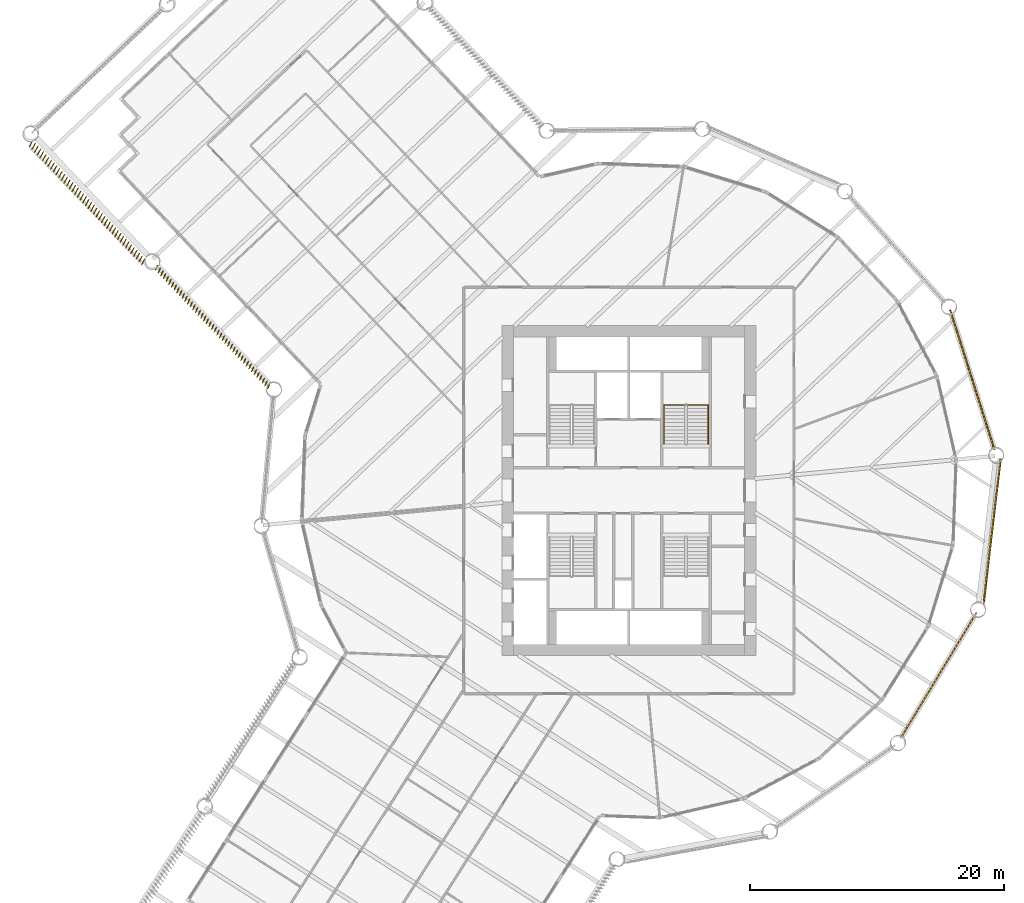
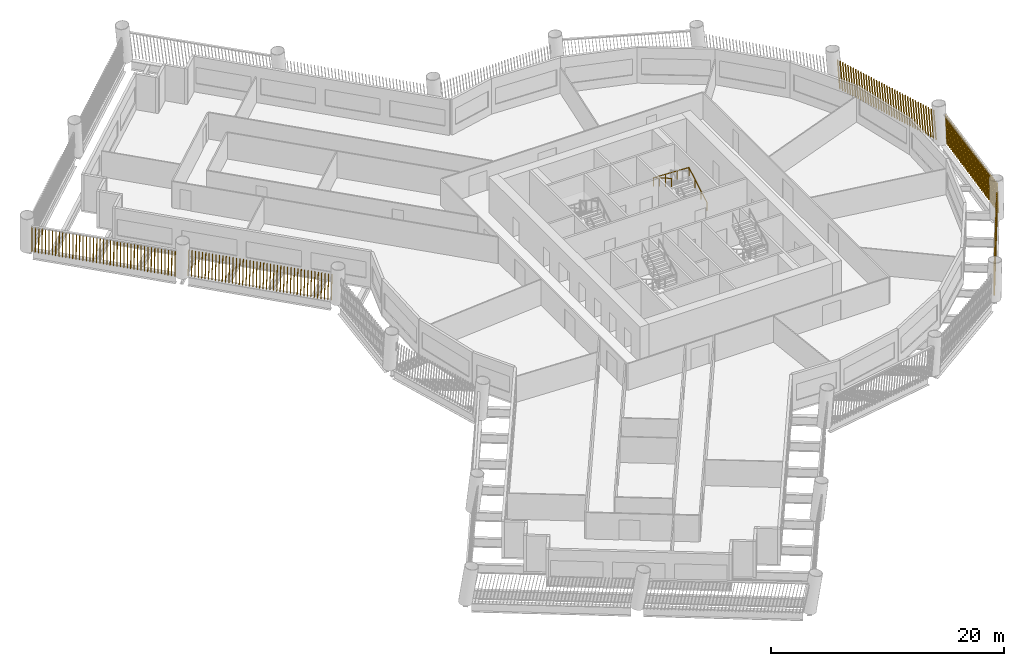
# One storey, part 13 of 15: 5 shading devices, 1 railing.
"""IFC4 building model written with IfcOpenShell, lengths in metres."""

import ifcopenshell
import ifcopenshell.guid

model = None  # the IFC model being written
_history = None  # IfcOwnerHistory: only IFC2X3 demands one
_inside = {}  # id of a spatial element -> (the spatial element, [elements in it])
_under = {}  # id of a project, library or spatial element -> (it, [spatial elements below it])
_declared = {}  # id of a project -> (the project, [libraries it declares])
_typed = {}  # id of a type object -> (the type object, [elements of that type])
_made_of = {}  # id of a material, layer set ... -> (it, [elements and type objects made of it])


def new_model(schema):
    """Start an empty IFC model of exactly this schema.

    Asked for "IFC4X3", IfcOpenShell would pick the latest addendum, in which some entities
    have other attributes; the version numbers below select the first issue.
    IFC2X3 requires an IfcOwnerHistory on every rooted entity: one is made here for all.
    """
    global model, _history
    if schema == "IFC4X3":
        model = ifcopenshell.file(schema_version=(4, 3, 0, 0))
    else:
        model = ifcopenshell.file(schema=schema)
    _inside.clear()
    _under.clear()
    _declared.clear()
    _typed.clear()
    _made_of.clear()
    _history = None
    if model.schema == "IFC2X3":
        org = make("IfcOrganization", Name="unknown")
        user = make(
            "IfcPersonAndOrganization",
            ThePerson=make("IfcPerson", FamilyName="unknown"),
            TheOrganization=org,
        )
        app = make(
            "IfcApplication",
            ApplicationDeveloper=org,
            Version="unknown",
            ApplicationFullName="unknown",
            ApplicationIdentifier="unknown",
        )
        _history = make(
            "IfcOwnerHistory",
            OwningUser=user,
            OwningApplication=app,
            ChangeAction="ADDED",
            CreationDate=0,
        )
    return model


def make(cls, **values):
    """One entity of the class cls with the attributes given. An attribute that is None is left unset."""
    return model.create_entity(
        cls, **{name: value for name, value in values.items() if value is not None}
    )


def rooted(cls, **values):
    """An entity with a GlobalId (a new one), such as an element, a storey or a relation."""
    return make(cls, GlobalId=ifcopenshell.guid.new(), OwnerHistory=_history, **values)


def si_unit(unit_type, name, prefix=None):
    """IfcSIUnit, for example si_unit("LENGTHUNIT", "METRE", prefix="MILLI")."""
    return make("IfcSIUnit", UnitType=unit_type, Prefix=prefix, Name=name)


def assignment(units):
    """IfcUnitAssignment: the units of a project."""
    return None if units is None else make("IfcUnitAssignment", Units=units)


def point(xyz):
    """IfcCartesianPoint."""
    return None if xyz is None else make("IfcCartesianPoint", Coordinates=xyz)


def direction(xyz):
    """IfcDirection."""
    return None if xyz is None else make("IfcDirection", DirectionRatios=xyz)


def frame(location, z_axis=None, x_axis=None):
    """IfcAxis2Placement3D, a coordinate frame: its origin and axes. An axis left out is left unset."""
    return make(
        "IfcAxis2Placement3D",
        Location=point(location),
        Axis=direction(z_axis),
        RefDirection=direction(x_axis),
    )


def frame_2d(location, x_axis=None):
    """IfcAxis2Placement2D, a coordinate frame in the plane: its origin and x axis."""
    return make(
        "IfcAxis2Placement2D", Location=point(location), RefDirection=direction(x_axis)
    )


def origin():
    """The frame at (0, 0, 0) with its axes left unset."""
    return frame((0.0, 0.0, 0.0))


def origin_2d():
    """The frame at (0, 0) in the plane with its x axis left unset."""
    return frame_2d((0.0, 0.0))


def place(relative_to, where):
    """IfcLocalPlacement: puts the frame where relative to a parent placement (None: the world)."""
    return make(
        "IfcLocalPlacement", PlacementRelTo=relative_to, RelativePlacement=where
    )


def context(
    kind, dimensions, precision=None, world=None, true_north=None, identifier=None
):
    """IfcGeometricRepresentationContext, for example the 3D "Model" context."""
    return make(
        "IfcGeometricRepresentationContext",
        ContextIdentifier=identifier,
        ContextType=kind,
        CoordinateSpaceDimension=dimensions,
        Precision=precision,
        WorldCoordinateSystem=world,
        TrueNorth=true_north,
    )


def subcontext(parent, identifier, kind, view, scale=None):
    """IfcGeometricRepresentationSubContext, for example "Body" below "Model"."""
    return make(
        "IfcGeometricRepresentationSubContext",
        ContextIdentifier=identifier,
        ContextType=kind,
        ParentContext=parent,
        TargetScale=scale,
        TargetView=view,
    )


def project(units=None, contexts=None):
    """IfcProject with its units and contexts."""
    return rooted(
        "IfcProject",
        Name="project",
        RepresentationContexts=contexts,
        UnitsInContext=assignment(units),
    )


def spatial(cls, under=None, at=None, **own):
    """A site, building, storey or space (cls), placed at a placement, below another one or the project."""
    s = rooted(cls, ObjectPlacement=at, **own)
    if under is not None:
        _under.setdefault(under.id(), (under, []))[1].append(s)
    return s


def profile(cls, at=None, kind="AREA", **sizes):
    """A parametric profile (cls). Its sizes go by their IFC names, for example OverallWidth=200.0."""
    return make(cls, ProfileType=kind, Position=at, **sizes)


def rectangle(**sizes):
    """IfcRectangleProfileDef."""
    return profile("IfcRectangleProfileDef", **sizes)


def circle(**sizes):
    """IfcCircleProfileDef."""
    return profile("IfcCircleProfileDef", **sizes)


def composite_profile(profiles, kind="AREA"):
    """IfcCompositeProfileDef: several profiles as one."""
    return make("IfcCompositeProfileDef", ProfileType=kind, Profiles=profiles)


def extrude(swept, where, along, depth):
    """IfcExtrudedAreaSolid: the profile swept, set in the frame where, extruded along a direction by depth."""
    return make(
        "IfcExtrudedAreaSolid",
        SweptArea=swept,
        Position=where,
        ExtrudedDirection=direction(along),
        Depth=depth,
    )


def shape(context_of_items, identifier, shape_type, items):
    """IfcShapeRepresentation: the items that make up one representation, for example the "Body"."""
    return make(
        "IfcShapeRepresentation",
        ContextOfItems=context_of_items,
        RepresentationIdentifier=identifier,
        RepresentationType=shape_type,
        Items=items,
    )


def material(Name=None, Category=None):
    """IfcMaterial."""
    return make("IfcMaterial", Name=Name, Category=Category)


def made_of(thing, what):
    """Note that an element or type object is made of a material, layer set ...; save() writes the relation."""
    if what is not None:
        _made_of.setdefault(what.id(), (what, []))[1].append(thing)
    return thing


def type_object(cls, material=None, **own):
    """A type object (cls), such as IfcWallType, which elements share."""
    return made_of(rooted(cls, **own), material)


def element(
    cls,
    number,
    at=None,
    inside=None,
    cuts=None,
    type_object=None,
    material=None,
    context=None,
    identifier="Body",
    shape_type=None,
    held_by="IfcProductDefinitionShape",
    body=None,
    shapes=None,
    **own,
):
    """One element of the class cls, such as IfcWall. Its Tag is "e" and its number.

    at: its placement. inside: the storey or other place that contains it. cuts: it is an
    opening in that element (IfcRelVoidsElement). A single representation is given by context,
    identifier, shape_type and body (its items); several are given by shapes. held_by: the class
    of the entity that holds the representations. save() writes the other relations.
    """
    e = rooted(cls, Tag="e%d" % number, ObjectPlacement=at, **own)
    if body is not None:
        shapes = [shape(context, identifier, shape_type, body)]
    if shapes is not None:
        e.Representation = make(held_by, Representations=shapes)
    if inside is not None:
        _inside.setdefault(inside.id(), (inside, []))[1].append(e)
    if cuts is not None:
        rooted(
            "IfcRelVoidsElement", RelatingBuildingElement=cuts, RelatedOpeningElement=e
        )
    if type_object is not None:
        _typed.setdefault(type_object.id(), (type_object, []))[1].append(e)
    return made_of(e, material)


def aggregate(whole, parts):
    """IfcRelAggregates: a whole, such as a stair, and the parts it consists of."""
    return rooted("IfcRelAggregates", RelatingObject=whole, RelatedObjects=parts)


def save(model, path):
    """Write the relations noted so far, then the file.

    IfcRelAggregates (storeys below a building ...), IfcRelContainedInSpatialStructure (elements
    in a storey), IfcRelDefinesByType, IfcRelAssociatesMaterial and IfcRelDeclares: one each for
    every whole, place, type object, material and project.
    """
    for whole, parts in _under.values():
        aggregate(whole, parts)
    for where, things in _inside.values():
        rooted(
            "IfcRelContainedInSpatialStructure",
            RelatedElements=things,
            RelatingStructure=where,
        )
    for kind, things in _typed.values():
        rooted("IfcRelDefinesByType", RelatedObjects=things, RelatingType=kind)
    for what, things in _made_of.values():
        rooted("IfcRelAssociatesMaterial", RelatedObjects=things, RelatingMaterial=what)
    for by, libraries in _declared.values():
        rooted("IfcRelDeclares", RelatingContext=by, RelatedDefinitions=libraries)
    model.write(path)


model = new_model("IFC4")

# Units and contexts
model_context = context("Model", 3, precision=1e-05, world=origin(), true_north=direction((0.0, 1.0)))
body_context = subcontext(model_context, "Body", "Model", "MODEL_VIEW")
ifc_project = project(units=[si_unit("LENGTHUNIT", "METRE"), si_unit("AREAUNIT", "SQUARE_METRE"), si_unit("VOLUMEUNIT", "CUBIC_METRE"), si_unit("PLANEANGLEUNIT", "RADIAN"), si_unit("MASSUNIT", "GRAM", prefix="KILO")], contexts=[model_context])

# Site, building, storey
site_placement = place(None, origin())
site = spatial("IfcSite", under=ifc_project, at=site_placement, CompositionType="ELEMENT")
building_placement = place(site_placement, origin())
building = spatial("IfcBuilding", under=site, at=building_placement, Name="Tarsis Ring Headquarters", CompositionType="ELEMENT")
storey_placement = place(building_placement, frame((0.0, 0.0, 67.300048828125)))
storey = spatial("IfcBuildingStorey", under=building, at=storey_placement, Name="L14", CompositionType="ELEMENT", Elevation=67.300048828125)

# Railing
ifc_material_1 = material(Name="Steel S355", Category="steel")
railing_type = type_object("IfcRailingType", Name="Core stair handrail 900", PredefinedType="HANDRAIL", material=ifc_material_1)
railing_placement = place(storey_placement, frame((6.25, 3.659912109375, 0.162353515625)))
element("IfcRailing", 1, at=railing_placement, inside=storey, type_object=railing_type, Name="L14 ST2 stair handrail 1", PredefinedType="HANDRAIL", context=body_context, shape_type="SweptSolid", body=[
    extrude(circle(Radius=0.02392578125, at=origin_2d()), frame((0.0, 0.0, 0.8759765625), z_axis=(0.0, 0.864890721111, 0.501960198159), x_axis=(-1.0, 0.0, 0.0)), (0.0, 0.0, 1.0), 3.561279296875),
    extrude(circle(Radius=0.02392578125, at=origin_2d()), frame((0.0, 3.080078125, 2.66357421875), z_axis=(-0.998922641604, 0.0, 0.046406422943), x_axis=(0.0, -1.0, 0.0)), (0.0, 0.0, 1.0), 3.503662109375),
    extrude(circle(Radius=0.02392578125, at=origin_2d()), frame((-3.5, 3.080078125, 2.826171875), z_axis=(0.0, -0.864920483161, 0.501908913857), x_axis=(1.0, 0.0, 0.0)), (0.0, 0.0, 1.0), 3.56103515625),
    extrude(circle(Radius=0.02099609375, at=origin_2d()), origin(), (0.0, 0.0, 1.0), 0.851806640625),
    extrude(circle(Radius=0.02099609375, at=origin_2d()), frame((0.0, 1.026611328125, 0.595947265625)), (0.0, 0.0, 1.0), 0.851806640625),
    extrude(circle(Radius=0.02099609375, at=origin_2d()), frame((0.0, 2.053466796875, 1.191650390625)), (0.0, 0.0, 1.0), 0.851806640625),
    extrude(circle(Radius=0.02099609375, at=origin_2d()), frame((0.0, 3.080078125, 1.78759765625)), (0.0, 0.0, 1.0), 0.851806640625),
    extrude(circle(Radius=0.02099609375, at=origin_2d()), frame((-1.166748046875, 3.080078125, 1.841796875)), (0.0, 0.0, 1.0), 0.851806640625),
    extrude(circle(Radius=0.02099609375, at=origin_2d()), frame((-2.333251953125, 3.080078125, 1.89599609375)), (0.0, 0.0, 1.0), 0.851806640625),
    extrude(circle(Radius=0.02099609375, at=origin_2d()), frame((-3.5, 3.080078125, 1.9501953125)), (0.0, 0.0, 1.0), 0.851806640625),
    extrude(circle(Radius=0.02099609375, at=origin_2d()), frame((-3.5, 2.053466796875, 2.5458984375)), (0.0, 0.0, 1.0), 0.851806640625),
    extrude(circle(Radius=0.02099609375, at=origin_2d()), frame((-3.5, 1.026611328125, 3.141845703125)), (0.0, 0.0, 1.0), 0.851806640625),
    extrude(circle(Radius=0.02099609375, at=origin_2d()), frame((-3.5, 0.0, 3.737548828125)), (0.0, 0.0, 1.0), 0.851806640625),
])

# Shading devices
ifc_material_2 = material(Name="Terracotta baguette", Category="masonry")
shading_device_type = type_object("IfcShadingDeviceType", Name="Terracotta baguette screen", PredefinedType="USERDEFINED", material=ifc_material_2)
shading_device_1_placement = place(storey_placement, frame((21.404296875, -19.48828125, 0.0), z_axis=(0.0, 0.0, 1.0), x_axis=(0.516744438416, 0.856147585458, 0.0)))
element("IfcShadingDevice", 2, at=shading_device_1_placement, inside=storey, type_object=shading_device_type, Name="Baguette screen L14-09", ObjectType="Terracotta baguette screen", PredefinedType="USERDEFINED", context=body_context, shape_type="SweptSolid", body=[
    extrude(composite_profile([rectangle(XDim=0.06005859375, YDim=0.1201171875, at=frame_2d((0.030029296875, 0.0))), rectangle(XDim=0.06005859375, YDim=0.1201171875, at=frame_2d((0.33251953125, 0.0))), rectangle(XDim=0.06005859375, YDim=0.1201171875, at=frame_2d((0.634765625, 0.0))), rectangle(XDim=0.06005859375, YDim=0.1201171875, at=frame_2d((0.937255859375, 0.0))), rectangle(XDim=0.06005859375, YDim=0.1201171875, at=frame_2d((1.239501953125, 0.0))), rectangle(XDim=0.06005859375, YDim=0.1201171875, at=frame_2d((1.5419921875, 0.0))), rectangle(XDim=0.06005859375, YDim=0.1201171875, at=frame_2d((1.844482421875, 0.0))), rectangle(XDim=0.06005859375, YDim=0.1201171875, at=frame_2d((2.146728515625, 0.0))), rectangle(XDim=0.06005859375, YDim=0.1201171875, at=frame_2d((2.44921875, 0.0))), rectangle(XDim=0.06005859375, YDim=0.1201171875, at=frame_2d((2.751708984375, 0.0))), rectangle(XDim=0.06005859375, YDim=0.1201171875, at=frame_2d((3.053955078125, 0.0))), rectangle(XDim=0.06005859375, YDim=0.1201171875, at=frame_2d((3.3564453125, 0.0))), rectangle(XDim=0.06005859375, YDim=0.1201171875, at=frame_2d((3.65869140625, 0.0))), rectangle(XDim=0.06005859375, YDim=0.1201171875, at=frame_2d((3.961181640625, 0.0))), rectangle(XDim=0.06005859375, YDim=0.1201171875, at=frame_2d((4.263671875, 0.0))), rectangle(XDim=0.06005859375, YDim=0.1201171875, at=frame_2d((4.56591796875, 0.0))), rectangle(XDim=0.06005859375, YDim=0.1201171875, at=frame_2d((4.868408203125, 0.0))), rectangle(XDim=0.06005859375, YDim=0.1201171875, at=frame_2d((5.1708984375, 0.0))), rectangle(XDim=0.06005859375, YDim=0.1201171875, at=frame_2d((5.47314453125, 0.0))), rectangle(XDim=0.06005859375, YDim=0.1201171875, at=frame_2d((5.775634765625, 0.0))), rectangle(XDim=0.06005859375, YDim=0.1201171875, at=frame_2d((6.077880859375, 0.0))), rectangle(XDim=0.06005859375, YDim=0.1201171875, at=frame_2d((6.38037109375, 0.0))), rectangle(XDim=0.06005859375, YDim=0.1201171875, at=frame_2d((6.682861328125, 0.0))), rectangle(XDim=0.06005859375, YDim=0.1201171875, at=frame_2d((6.985107421875, 0.0))), rectangle(XDim=0.06005859375, YDim=0.1201171875, at=frame_2d((7.28759765625, 0.0))), rectangle(XDim=0.06005859375, YDim=0.1201171875, at=frame_2d((7.590087890625, 0.0))), rectangle(XDim=0.06005859375, YDim=0.1201171875, at=frame_2d((7.892333984375, 0.0))), rectangle(XDim=0.06005859375, YDim=0.1201171875, at=frame_2d((8.19482421875, 0.0))), rectangle(XDim=0.06005859375, YDim=0.1201171875, at=frame_2d((8.4970703125, 0.0))), rectangle(XDim=0.06005859375, YDim=0.1201171875, at=frame_2d((8.799560546875, 0.0))), rectangle(XDim=0.06005859375, YDim=0.1201171875, at=frame_2d((9.10205078125, 0.0))), rectangle(XDim=0.06005859375, YDim=0.1201171875, at=frame_2d((9.404296875, 0.0))), rectangle(XDim=0.06005859375, YDim=0.1201171875, at=frame_2d((9.706787109375, 0.0))), rectangle(XDim=0.06005859375, YDim=0.1201171875, at=frame_2d((10.00927734375, 0.0))), rectangle(XDim=0.06005859375, YDim=0.1201171875, at=frame_2d((10.3115234375, 0.0))), rectangle(XDim=0.06005859375, YDim=0.1201171875, at=frame_2d((10.614013671875, 0.0))), rectangle(XDim=0.06005859375, YDim=0.1201171875, at=frame_2d((10.916259765625, 0.0))), rectangle(XDim=0.06005859375, YDim=0.1201171875, at=frame_2d((11.21875, 0.0)))]), origin(), (0.100201096675, 0.000524650507, 0.994967067278), 2.967529296875),
])
shading_device_2_placement = place(storey_placement, frame((27.90673828125, -8.977294921875, 0.0), z_axis=(0.0, 0.0, 1.0), x_axis=(0.117897295655, 0.993032946998, 0.0)))
element("IfcShadingDevice", 3, at=shading_device_2_placement, inside=storey, type_object=shading_device_type, Name="Baguette screen L14-10", ObjectType="Terracotta baguette screen", PredefinedType="USERDEFINED", context=body_context, shape_type="SweptSolid", body=[
    extrude(composite_profile([rectangle(XDim=0.06005859375, YDim=0.1201171875, at=frame_2d((0.030029296875, 0.0))), rectangle(XDim=0.06005859375, YDim=0.1201171875, at=frame_2d((0.33251953125, 0.0))), rectangle(XDim=0.06005859375, YDim=0.1201171875, at=frame_2d((0.634765625, 0.0))), rectangle(XDim=0.06005859375, YDim=0.1201171875, at=frame_2d((0.937255859375, 0.0))), rectangle(XDim=0.06005859375, YDim=0.1201171875, at=frame_2d((1.239501953125, 0.0))), rectangle(XDim=0.06005859375, YDim=0.1201171875, at=frame_2d((1.5419921875, 0.0))), rectangle(XDim=0.06005859375, YDim=0.1201171875, at=frame_2d((1.844482421875, 0.0))), rectangle(XDim=0.06005859375, YDim=0.1201171875, at=frame_2d((2.146728515625, 0.0))), rectangle(XDim=0.06005859375, YDim=0.1201171875, at=frame_2d((2.44921875, 0.0))), rectangle(XDim=0.06005859375, YDim=0.1201171875, at=frame_2d((2.751708984375, 0.0))), rectangle(XDim=0.06005859375, YDim=0.1201171875, at=frame_2d((3.053955078125, 0.0))), rectangle(XDim=0.06005859375, YDim=0.1201171875, at=frame_2d((3.3564453125, 0.0))), rectangle(XDim=0.06005859375, YDim=0.1201171875, at=frame_2d((3.65869140625, 0.0))), rectangle(XDim=0.06005859375, YDim=0.1201171875, at=frame_2d((3.961181640625, 0.0))), rectangle(XDim=0.06005859375, YDim=0.1201171875, at=frame_2d((4.263671875, 0.0))), rectangle(XDim=0.06005859375, YDim=0.1201171875, at=frame_2d((4.56591796875, 0.0))), rectangle(XDim=0.06005859375, YDim=0.1201171875, at=frame_2d((4.868408203125, 0.0))), rectangle(XDim=0.06005859375, YDim=0.1201171875, at=frame_2d((5.1708984375, 0.0))), rectangle(XDim=0.06005859375, YDim=0.1201171875, at=frame_2d((5.47314453125, 0.0))), rectangle(XDim=0.06005859375, YDim=0.1201171875, at=frame_2d((5.775634765625, 0.0))), rectangle(XDim=0.06005859375, YDim=0.1201171875, at=frame_2d((6.077880859375, 0.0))), rectangle(XDim=0.06005859375, YDim=0.1201171875, at=frame_2d((6.38037109375, 0.0))), rectangle(XDim=0.06005859375, YDim=0.1201171875, at=frame_2d((6.682861328125, 0.0))), rectangle(XDim=0.06005859375, YDim=0.1201171875, at=frame_2d((6.985107421875, 0.0))), rectangle(XDim=0.06005859375, YDim=0.1201171875, at=frame_2d((7.28759765625, 0.0))), rectangle(XDim=0.06005859375, YDim=0.1201171875, at=frame_2d((7.590087890625, 0.0))), rectangle(XDim=0.06005859375, YDim=0.1201171875, at=frame_2d((7.892333984375, 0.0))), rectangle(XDim=0.06005859375, YDim=0.1201171875, at=frame_2d((8.19482421875, 0.0))), rectangle(XDim=0.06005859375, YDim=0.1201171875, at=frame_2d((8.4970703125, 0.0))), rectangle(XDim=0.06005859375, YDim=0.1201171875, at=frame_2d((8.799560546875, 0.0))), rectangle(XDim=0.06005859375, YDim=0.1201171875, at=frame_2d((9.10205078125, 0.0))), rectangle(XDim=0.06005859375, YDim=0.1201171875, at=frame_2d((9.404296875, 0.0))), rectangle(XDim=0.06005859375, YDim=0.1201171875, at=frame_2d((9.706787109375, 0.0))), rectangle(XDim=0.06005859375, YDim=0.1201171875, at=frame_2d((10.00927734375, 0.0))), rectangle(XDim=0.06005859375, YDim=0.1201171875, at=frame_2d((10.3115234375, 0.0))), rectangle(XDim=0.06005859375, YDim=0.1201171875, at=frame_2d((10.614013671875, 0.0))), rectangle(XDim=0.06005859375, YDim=0.1201171875, at=frame_2d((10.916259765625, 0.0))), rectangle(XDim=0.06005859375, YDim=0.1201171875, at=frame_2d((11.21875, 0.0)))]), origin(), (0.101510733149, 0.000530551943, 0.99483430257), 2.968017578125),
])
shading_device_3_placement = place(storey_placement, frame((28.7685546875, 3.21044921875, 0.0), z_axis=(0.0, 0.0, 1.0), x_axis=(-0.301877373847, 0.953336950624, 0.0)))
element("IfcShadingDevice", 4, at=shading_device_3_placement, inside=storey, type_object=shading_device_type, Name="Baguette screen L14-11", ObjectType="Terracotta baguette screen", PredefinedType="USERDEFINED", context=body_context, shape_type="SweptSolid", body=[
    extrude(composite_profile([rectangle(XDim=0.06005859375, YDim=0.1201171875, at=frame_2d((0.030029296875, 0.0))), rectangle(XDim=0.06005859375, YDim=0.1201171875, at=frame_2d((0.33251953125, 0.0))), rectangle(XDim=0.06005859375, YDim=0.1201171875, at=frame_2d((0.634765625, 0.0))), rectangle(XDim=0.06005859375, YDim=0.1201171875, at=frame_2d((0.937255859375, 0.0))), rectangle(XDim=0.06005859375, YDim=0.1201171875, at=frame_2d((1.239501953125, 0.0))), rectangle(XDim=0.06005859375, YDim=0.1201171875, at=frame_2d((1.5419921875, 0.0))), rectangle(XDim=0.06005859375, YDim=0.1201171875, at=frame_2d((1.844482421875, 0.0))), rectangle(XDim=0.06005859375, YDim=0.1201171875, at=frame_2d((2.146728515625, 0.0))), rectangle(XDim=0.06005859375, YDim=0.1201171875, at=frame_2d((2.44921875, 0.0))), rectangle(XDim=0.06005859375, YDim=0.1201171875, at=frame_2d((2.751708984375, 0.0))), rectangle(XDim=0.06005859375, YDim=0.1201171875, at=frame_2d((3.053955078125, 0.0))), rectangle(XDim=0.06005859375, YDim=0.1201171875, at=frame_2d((3.3564453125, 0.0))), rectangle(XDim=0.06005859375, YDim=0.1201171875, at=frame_2d((3.65869140625, 0.0))), rectangle(XDim=0.06005859375, YDim=0.1201171875, at=frame_2d((3.961181640625, 0.0))), rectangle(XDim=0.06005859375, YDim=0.1201171875, at=frame_2d((4.263671875, 0.0))), rectangle(XDim=0.06005859375, YDim=0.1201171875, at=frame_2d((4.56591796875, 0.0))), rectangle(XDim=0.06005859375, YDim=0.1201171875, at=frame_2d((4.868408203125, 0.0))), rectangle(XDim=0.06005859375, YDim=0.1201171875, at=frame_2d((5.1708984375, 0.0))), rectangle(XDim=0.06005859375, YDim=0.1201171875, at=frame_2d((5.47314453125, 0.0))), rectangle(XDim=0.06005859375, YDim=0.1201171875, at=frame_2d((5.775634765625, 0.0))), rectangle(XDim=0.06005859375, YDim=0.1201171875, at=frame_2d((6.077880859375, 0.0))), rectangle(XDim=0.06005859375, YDim=0.1201171875, at=frame_2d((6.38037109375, 0.0))), rectangle(XDim=0.06005859375, YDim=0.1201171875, at=frame_2d((6.682861328125, 0.0))), rectangle(XDim=0.06005859375, YDim=0.1201171875, at=frame_2d((6.985107421875, 0.0))), rectangle(XDim=0.06005859375, YDim=0.1201171875, at=frame_2d((7.28759765625, 0.0))), rectangle(XDim=0.06005859375, YDim=0.1201171875, at=frame_2d((7.590087890625, 0.0))), rectangle(XDim=0.06005859375, YDim=0.1201171875, at=frame_2d((7.892333984375, 0.0))), rectangle(XDim=0.06005859375, YDim=0.1201171875, at=frame_2d((8.19482421875, 0.0))), rectangle(XDim=0.06005859375, YDim=0.1201171875, at=frame_2d((8.4970703125, 0.0))), rectangle(XDim=0.06005859375, YDim=0.1201171875, at=frame_2d((8.799560546875, 0.0))), rectangle(XDim=0.06005859375, YDim=0.1201171875, at=frame_2d((9.10205078125, 0.0))), rectangle(XDim=0.06005859375, YDim=0.1201171875, at=frame_2d((9.404296875, 0.0))), rectangle(XDim=0.06005859375, YDim=0.1201171875, at=frame_2d((9.706787109375, 0.0))), rectangle(XDim=0.06005859375, YDim=0.1201171875, at=frame_2d((10.00927734375, 0.0))), rectangle(XDim=0.06005859375, YDim=0.1201171875, at=frame_2d((10.3115234375, 0.0))), rectangle(XDim=0.06005859375, YDim=0.1201171875, at=frame_2d((10.614013671875, 0.0))), rectangle(XDim=0.06005859375, YDim=0.1201171875, at=frame_2d((10.916259765625, 0.0))), rectangle(XDim=0.06005859375, YDim=0.1201171875, at=frame_2d((11.21875, 0.0)))]), origin(), (0.100199813301, 0.000525966379, 0.994967195828), 2.967529296875),
])
shading_device_4_placement = place(storey_placement, frame((-46.96044921875, 27.5732421875, 0.0), z_axis=(0.0, 0.0, 1.0), x_axis=(0.687096713153, -0.726569152459, 0.0)))
element("IfcShadingDevice", 5, at=shading_device_4_placement, inside=storey, type_object=shading_device_type, Name="Baguette screen L14-19", ObjectType="Terracotta baguette screen", PredefinedType="USERDEFINED", context=body_context, shape_type="SweptSolid", body=[
    extrude(composite_profile([rectangle(XDim=0.06005859375, YDim=0.1201171875, at=frame_2d((0.030029296875, 0.0))), rectangle(XDim=0.06005859375, YDim=0.1201171875, at=frame_2d((0.335693359375, 0.0))), rectangle(XDim=0.06005859375, YDim=0.1201171875, at=frame_2d((0.6416015625, 0.0))), rectangle(XDim=0.06005859375, YDim=0.1201171875, at=frame_2d((0.947265625, 0.0))), rectangle(XDim=0.06005859375, YDim=0.1201171875, at=frame_2d((1.253173828125, 0.0))), rectangle(XDim=0.06005859375, YDim=0.1201171875, at=frame_2d((1.558837890625, 0.0))), rectangle(XDim=0.06005859375, YDim=0.1201171875, at=frame_2d((1.864501953125, 0.0))), rectangle(XDim=0.06005859375, YDim=0.1201171875, at=frame_2d((2.17041015625, 0.0))), rectangle(XDim=0.06005859375, YDim=0.1201171875, at=frame_2d((2.47607421875, 0.0))), rectangle(XDim=0.06005859375, YDim=0.1201171875, at=frame_2d((2.781982421875, 0.0))), rectangle(XDim=0.06005859375, YDim=0.1201171875, at=frame_2d((3.087646484375, 0.0))), rectangle(XDim=0.06005859375, YDim=0.1201171875, at=frame_2d((3.393310546875, 0.0))), rectangle(XDim=0.06005859375, YDim=0.1201171875, at=frame_2d((3.69921875, 0.0))), rectangle(XDim=0.06005859375, YDim=0.1201171875, at=frame_2d((4.0048828125, 0.0))), rectangle(XDim=0.06005859375, YDim=0.1201171875, at=frame_2d((4.310791015625, 0.0))), rectangle(XDim=0.06005859375, YDim=0.1201171875, at=frame_2d((4.616455078125, 0.0))), rectangle(XDim=0.06005859375, YDim=0.1201171875, at=frame_2d((4.922119140625, 0.0))), rectangle(XDim=0.06005859375, YDim=0.1201171875, at=frame_2d((5.22802734375, 0.0))), rectangle(XDim=0.06005859375, YDim=0.1201171875, at=frame_2d((5.53369140625, 0.0))), rectangle(XDim=0.06005859375, YDim=0.1201171875, at=frame_2d((5.839599609375, 0.0))), rectangle(XDim=0.06005859375, YDim=0.1201171875, at=frame_2d((6.145263671875, 0.0))), rectangle(XDim=0.06005859375, YDim=0.1201171875, at=frame_2d((6.451171875, 0.0))), rectangle(XDim=0.06005859375, YDim=0.1201171875, at=frame_2d((6.7568359375, 0.0))), rectangle(XDim=0.06005859375, YDim=0.1201171875, at=frame_2d((7.0625, 0.0))), rectangle(XDim=0.06005859375, YDim=0.1201171875, at=frame_2d((7.368408203125, 0.0))), rectangle(XDim=0.06005859375, YDim=0.1201171875, at=frame_2d((7.674072265625, 0.0))), rectangle(XDim=0.06005859375, YDim=0.1201171875, at=frame_2d((7.97998046875, 0.0))), rectangle(XDim=0.06005859375, YDim=0.1201171875, at=frame_2d((8.28564453125, 0.0))), rectangle(XDim=0.06005859375, YDim=0.1201171875, at=frame_2d((8.59130859375, 0.0))), rectangle(XDim=0.06005859375, YDim=0.1201171875, at=frame_2d((8.897216796875, 0.0))), rectangle(XDim=0.06005859375, YDim=0.1201171875, at=frame_2d((9.202880859375, 0.0))), rectangle(XDim=0.06005859375, YDim=0.1201171875, at=frame_2d((9.5087890625, 0.0))), rectangle(XDim=0.06005859375, YDim=0.1201171875, at=frame_2d((9.814453125, 0.0))), rectangle(XDim=0.06005859375, YDim=0.1201171875, at=frame_2d((10.1201171875, 0.0))), rectangle(XDim=0.06005859375, YDim=0.1201171875, at=frame_2d((10.426025390625, 0.0))), rectangle(XDim=0.06005859375, YDim=0.1201171875, at=frame_2d((10.731689453125, 0.0))), rectangle(XDim=0.06005859375, YDim=0.1201171875, at=frame_2d((11.03759765625, 0.0))), rectangle(XDim=0.06005859375, YDim=0.1201171875, at=frame_2d((11.34326171875, 0.0))), rectangle(XDim=0.06005859375, YDim=0.1201171875, at=frame_2d((11.64892578125, 0.0))), rectangle(XDim=0.06005859375, YDim=0.1201171875, at=frame_2d((11.954833984375, 0.0))), rectangle(XDim=0.06005859375, YDim=0.1201171875, at=frame_2d((12.260498046875, 0.0))), rectangle(XDim=0.06005859375, YDim=0.1201171875, at=frame_2d((12.56640625, 0.0))), rectangle(XDim=0.06005859375, YDim=0.1201171875, at=frame_2d((12.8720703125, 0.0)))]), origin(), (0.053884753067, -0.159996190487, 0.985645804748), 2.99560546875),
])
shading_device_5_placement = place(storey_placement, frame((-37.135986328125, 17.72998046875, 0.0), z_axis=(0.0, 0.0, 1.0), x_axis=(0.687083711777, -0.72657432637, 0.0)))
element("IfcShadingDevice", 6, at=shading_device_5_placement, inside=storey, type_object=shading_device_type, Name="Baguette screen L14-20", ObjectType="Terracotta baguette screen", PredefinedType="USERDEFINED", context=body_context, shape_type="SweptSolid", body=[
    extrude(composite_profile([rectangle(XDim=0.06005859375, YDim=0.1201171875, at=frame_2d((0.030029296875, 0.0))), rectangle(XDim=0.06005859375, YDim=0.1201171875, at=frame_2d((0.335693359375, 0.0))), rectangle(XDim=0.06005859375, YDim=0.1201171875, at=frame_2d((0.6416015625, 0.0))), rectangle(XDim=0.06005859375, YDim=0.1201171875, at=frame_2d((0.947265625, 0.0))), rectangle(XDim=0.06005859375, YDim=0.1201171875, at=frame_2d((1.253173828125, 0.0))), rectangle(XDim=0.06005859375, YDim=0.1201171875, at=frame_2d((1.558837890625, 0.0))), rectangle(XDim=0.06005859375, YDim=0.1201171875, at=frame_2d((1.864501953125, 0.0))), rectangle(XDim=0.06005859375, YDim=0.1201171875, at=frame_2d((2.17041015625, 0.0))), rectangle(XDim=0.06005859375, YDim=0.1201171875, at=frame_2d((2.47607421875, 0.0))), rectangle(XDim=0.06005859375, YDim=0.1201171875, at=frame_2d((2.781982421875, 0.0))), rectangle(XDim=0.06005859375, YDim=0.1201171875, at=frame_2d((3.087646484375, 0.0))), rectangle(XDim=0.06005859375, YDim=0.1201171875, at=frame_2d((3.393310546875, 0.0))), rectangle(XDim=0.06005859375, YDim=0.1201171875, at=frame_2d((3.69921875, 0.0))), rectangle(XDim=0.06005859375, YDim=0.1201171875, at=frame_2d((4.0048828125, 0.0))), rectangle(XDim=0.06005859375, YDim=0.1201171875, at=frame_2d((4.310791015625, 0.0))), rectangle(XDim=0.06005859375, YDim=0.1201171875, at=frame_2d((4.616455078125, 0.0))), rectangle(XDim=0.06005859375, YDim=0.1201171875, at=frame_2d((4.922119140625, 0.0))), rectangle(XDim=0.06005859375, YDim=0.1201171875, at=frame_2d((5.22802734375, 0.0))), rectangle(XDim=0.06005859375, YDim=0.1201171875, at=frame_2d((5.53369140625, 0.0))), rectangle(XDim=0.06005859375, YDim=0.1201171875, at=frame_2d((5.839599609375, 0.0))), rectangle(XDim=0.06005859375, YDim=0.1201171875, at=frame_2d((6.145263671875, 0.0))), rectangle(XDim=0.06005859375, YDim=0.1201171875, at=frame_2d((6.451171875, 0.0))), rectangle(XDim=0.06005859375, YDim=0.1201171875, at=frame_2d((6.7568359375, 0.0))), rectangle(XDim=0.06005859375, YDim=0.1201171875, at=frame_2d((7.0625, 0.0))), rectangle(XDim=0.06005859375, YDim=0.1201171875, at=frame_2d((7.368408203125, 0.0))), rectangle(XDim=0.06005859375, YDim=0.1201171875, at=frame_2d((7.674072265625, 0.0))), rectangle(XDim=0.06005859375, YDim=0.1201171875, at=frame_2d((7.97998046875, 0.0))), rectangle(XDim=0.06005859375, YDim=0.1201171875, at=frame_2d((8.28564453125, 0.0))), rectangle(XDim=0.06005859375, YDim=0.1201171875, at=frame_2d((8.59130859375, 0.0))), rectangle(XDim=0.06005859375, YDim=0.1201171875, at=frame_2d((8.897216796875, 0.0))), rectangle(XDim=0.06005859375, YDim=0.1201171875, at=frame_2d((9.202880859375, 0.0))), rectangle(XDim=0.06005859375, YDim=0.1201171875, at=frame_2d((9.5087890625, 0.0))), rectangle(XDim=0.06005859375, YDim=0.1201171875, at=frame_2d((9.814453125, 0.0))), rectangle(XDim=0.06005859375, YDim=0.1201171875, at=frame_2d((10.1201171875, 0.0))), rectangle(XDim=0.06005859375, YDim=0.1201171875, at=frame_2d((10.426025390625, 0.0))), rectangle(XDim=0.06005859375, YDim=0.1201171875, at=frame_2d((10.731689453125, 0.0))), rectangle(XDim=0.06005859375, YDim=0.1201171875, at=frame_2d((11.03759765625, 0.0))), rectangle(XDim=0.06005859375, YDim=0.1201171875, at=frame_2d((11.34326171875, 0.0))), rectangle(XDim=0.06005859375, YDim=0.1201171875, at=frame_2d((11.64892578125, 0.0))), rectangle(XDim=0.06005859375, YDim=0.1201171875, at=frame_2d((11.954833984375, 0.0))), rectangle(XDim=0.06005859375, YDim=0.1201171875, at=frame_2d((12.260498046875, 0.0))), rectangle(XDim=0.06005859375, YDim=0.1201171875, at=frame_2d((12.56640625, 0.0))), rectangle(XDim=0.06005859375, YDim=0.1201171875, at=frame_2d((12.8720703125, 0.0)))]), origin(), (0.052673786425, -0.112155476903, 0.992293616438), 2.9755859375),
])

save(model, "model.ifc")
